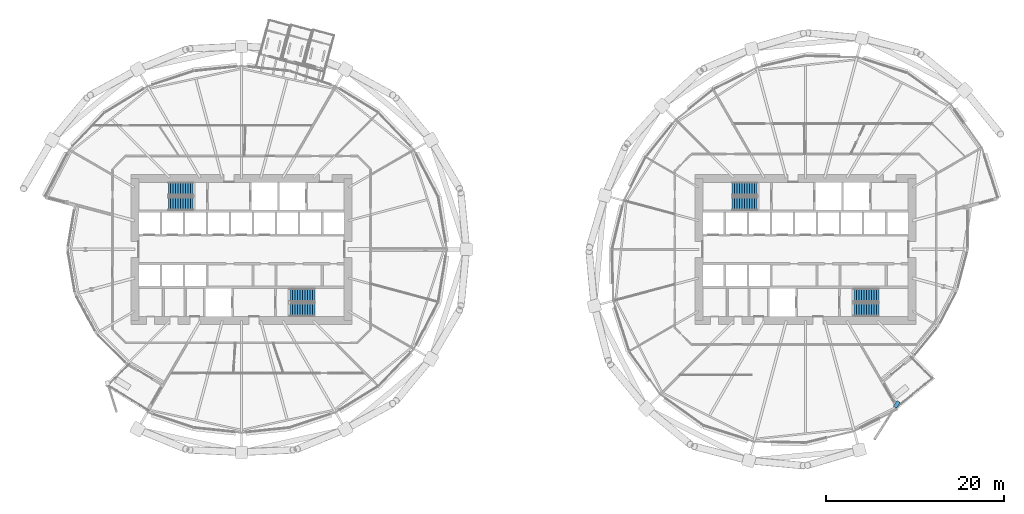
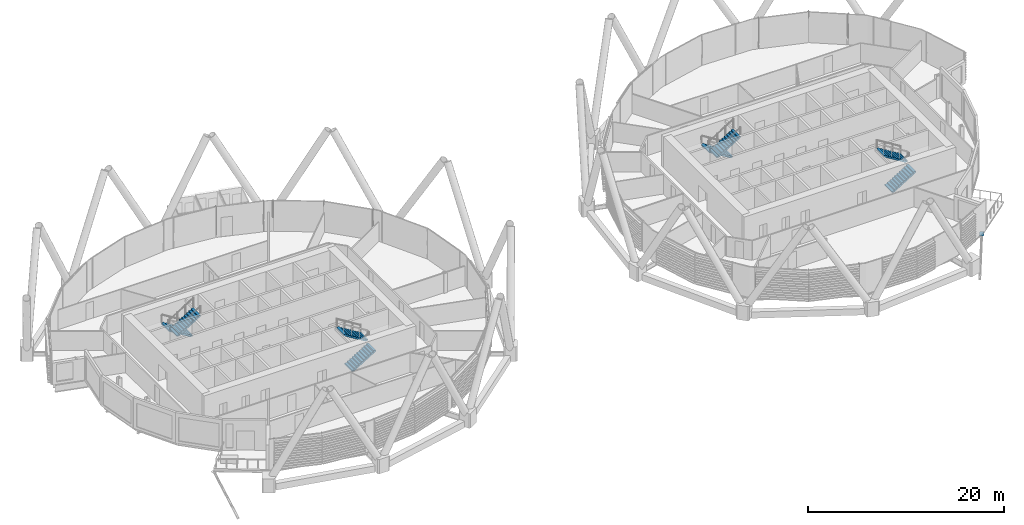
# One storey, part 31 of 40: 8 stair flights, 1 discrete accessory, 4 elements without a shape of their own.
"""IFC4 building model written with IfcOpenShell, lengths in metres."""

from ifc_helpers import new_model, si_unit, direction, frame, origin, origin_2d, place, context, subcontext, project, spatial, polyline, rectangle, outline, extrude, material, material_profile, profile_set, type_object, element, aggregate, save


model = new_model("IFC4")

# Units and contexts
model_context = context("Model", 3, precision=1e-05, world=origin(), true_north=direction((0.0, 1.0)))
body_context = subcontext(model_context, "Body", "Model", "MODEL_VIEW")
ifc_project = project(units=[si_unit("LENGTHUNIT", "METRE"), si_unit("AREAUNIT", "SQUARE_METRE"), si_unit("VOLUMEUNIT", "CUBIC_METRE"), si_unit("PLANEANGLEUNIT", "RADIAN"), si_unit("MASSUNIT", "GRAM", prefix="KILO")], contexts=[model_context])

# Site, building, storey
site_placement = place(None, origin())
site = spatial("IfcSite", under=ifc_project, at=site_placement, CompositionType="ELEMENT")
building_placement = place(site_placement, origin())
building = spatial("IfcBuilding", under=site, at=building_placement, Name="Rimbun Link Towers", CompositionType="ELEMENT")
storey_placement = place(building_placement, frame((0.0, 0.0, 52.800048828125)))
storey = spatial("IfcBuildingStorey", under=building, at=storey_placement, Name="L12", CompositionType="ELEMENT", Elevation=52.800048828125)

# Stair, stair flights
ifc_material_1 = material(Name="Concrete C40/50", Category="concrete")
stair_type = type_object("IfcStairType", Name="Exit stair 3800 rise", PredefinedType="HALF_TURN_STAIR", material=ifc_material_1)
stair_1_placement = place(storey_placement, origin())
stair_1 = element("IfcStair", 1, at=stair_1_placement, inside=storey, type_object=stair_type, Name="L12 EXIT STAIR A", PredefinedType="HALF_TURN_STAIR")
ifc_material_2 = material(Name="Concrete C40/50", Category="concrete")
stair_flight_type = type_object("IfcStairFlightType", Name="Exit stair flight 3800 rise", PredefinedType="STRAIGHT", material=ifc_material_2)
stair_flight_1_placement = place(storey_placement, frame((-37.199951171875, 6.800048828125, 0.0), z_axis=(0.0, 0.0, 1.0), x_axis=(-1.0, 0.0, 0.0)))
stair_flight_1 = element("IfcStairFlight", 2, at=stair_flight_1_placement, type_object=stair_flight_type, Name="ST1 flight 1", NumberOfRisers=11, NumberOfTreads=10, PredefinedType="STRAIGHT", RiserHeight=0.172727273, TreadLength=0.28, context=body_context, shape_type="SweptSolid", body=[
    extrude(outline(polyline([(0.0, 0.0), (0.0, 0.172607421875), (0.280029296875, 0.172607421875), (0.280029296875, 0.345458984375), (0.56005859375, 0.345458984375), (0.56005859375, 0.51806640625), (0.840087890625, 0.51806640625), (0.840087890625, 0.69091796875), (1.1201171875, 0.69091796875), (1.1201171875, 0.863525390625), (1.39990234375, 0.863525390625), (1.39990234375, 1.036376953125), (1.679931640625, 1.036376953125), (1.679931640625, 1.208984375), (1.9599609375, 1.208984375), (1.9599609375, 1.3818359375), (2.239990234375, 1.3818359375), (2.239990234375, 1.554443359375), (2.52001953125, 1.554443359375), (2.52001953125, 1.727294921875), (2.800048828125, 1.727294921875), (2.800048828125, 1.89990234375), (2.800048828125, 1.551025390625), (0.280029296875, 0.0), (0.0, 0.0)])), frame((0.0, 0.75, 0.0), z_axis=(0.0, -1.0, 0.0), x_axis=(1.0, 0.0, 0.0)), (0.0, 0.0, 1.0), 1.5),
])
stair_flight_2_placement = place(storey_placement, frame((-40.0, 5.14990234375, 1.89990234375), z_axis=(0.0, 0.0, 1.0), x_axis=(1.0, 0.0, 0.0)))
stair_flight_2 = element("IfcStairFlight", 3, at=stair_flight_2_placement, type_object=stair_flight_type, Name="ST1 flight 2", NumberOfRisers=11, NumberOfTreads=10, PredefinedType="STRAIGHT", RiserHeight=0.172727273, TreadLength=0.28, context=body_context, shape_type="SweptSolid", body=[
    extrude(outline(polyline([(0.0, 0.0), (0.0, 0.172607421875), (0.280029296875, 0.172607421875), (0.280029296875, 0.345458984375), (0.56005859375, 0.345458984375), (0.56005859375, 0.51806640625), (0.840087890625, 0.51806640625), (0.840087890625, 0.69091796875), (1.1201171875, 0.69091796875), (1.1201171875, 0.863525390625), (1.39990234375, 0.863525390625), (1.39990234375, 1.036376953125), (1.679931640625, 1.036376953125), (1.679931640625, 1.208984375), (1.9599609375, 1.208984375), (1.9599609375, 1.3818359375), (2.239990234375, 1.3818359375), (2.239990234375, 1.554443359375), (2.52001953125, 1.554443359375), (2.52001953125, 1.727294921875), (2.800048828125, 1.727294921875), (2.800048828125, 1.89990234375), (2.800048828125, 1.551025390625), (0.280029296875, 0.0), (0.0, 0.0)])), frame((0.0, 0.75, 0.0), z_axis=(0.0, -1.0, 0.0), x_axis=(1.0, 0.0, 0.0)), (0.0, 0.0, 1.0), 1.5),
])
aggregate(stair_1, [stair_flight_1, stair_flight_2])

stair_2_placement = place(storey_placement, origin())
stair_2 = element("IfcStair", 4, at=stair_2_placement, inside=storey, type_object=stair_type, Name="L12 EXIT STAIR B", PredefinedType="HALF_TURN_STAIR")
stair_flight_3_placement = place(storey_placement, frame((-26.300048828125, -6.800048828125, 0.0), z_axis=(0.0, 0.0, 1.0), x_axis=(1.0, 0.0, 0.0)))
stair_flight_3 = element("IfcStairFlight", 5, at=stair_flight_3_placement, type_object=stair_flight_type, Name="ST2 flight 1", NumberOfRisers=11, NumberOfTreads=10, PredefinedType="STRAIGHT", RiserHeight=0.172727273, TreadLength=0.28, context=body_context, shape_type="SweptSolid", body=[
    extrude(outline(polyline([(0.0, 0.0), (0.0, 0.172607421875), (0.280029296875, 0.172607421875), (0.280029296875, 0.345458984375), (0.56005859375, 0.345458984375), (0.56005859375, 0.51806640625), (0.840087890625, 0.51806640625), (0.840087890625, 0.69091796875), (1.1201171875, 0.69091796875), (1.1201171875, 0.863525390625), (1.39990234375, 0.863525390625), (1.39990234375, 1.036376953125), (1.679931640625, 1.036376953125), (1.679931640625, 1.208984375), (1.9599609375, 1.208984375), (1.9599609375, 1.3818359375), (2.239990234375, 1.3818359375), (2.239990234375, 1.554443359375), (2.52001953125, 1.554443359375), (2.52001953125, 1.727294921875), (2.800048828125, 1.727294921875), (2.800048828125, 1.89990234375), (2.800048828125, 1.551025390625), (0.280029296875, 0.0), (0.0, 0.0)])), frame((0.0, 0.75, 0.0), z_axis=(0.0, -1.0, 0.0), x_axis=(1.0, 0.0, 0.0)), (0.0, 0.0, 1.0), 1.5),
])
stair_flight_4_placement = place(storey_placement, frame((-23.5, -5.14990234375, 1.89990234375), z_axis=(0.0, 0.0, 1.0), x_axis=(-1.0, 0.0, 0.0)))
stair_flight_4 = element("IfcStairFlight", 6, at=stair_flight_4_placement, type_object=stair_flight_type, Name="ST2 flight 2", NumberOfRisers=11, NumberOfTreads=10, PredefinedType="STRAIGHT", RiserHeight=0.172727273, TreadLength=0.28, context=body_context, shape_type="SweptSolid", body=[
    extrude(outline(polyline([(0.0, 0.0), (0.0, 0.172607421875), (0.280029296875, 0.172607421875), (0.280029296875, 0.345458984375), (0.56005859375, 0.345458984375), (0.56005859375, 0.51806640625), (0.840087890625, 0.51806640625), (0.840087890625, 0.69091796875), (1.1201171875, 0.69091796875), (1.1201171875, 0.863525390625), (1.39990234375, 0.863525390625), (1.39990234375, 1.036376953125), (1.679931640625, 1.036376953125), (1.679931640625, 1.208984375), (1.9599609375, 1.208984375), (1.9599609375, 1.3818359375), (2.239990234375, 1.3818359375), (2.239990234375, 1.554443359375), (2.52001953125, 1.554443359375), (2.52001953125, 1.727294921875), (2.800048828125, 1.727294921875), (2.800048828125, 1.89990234375), (2.800048828125, 1.551025390625), (0.280029296875, 0.0), (0.0, 0.0)])), frame((0.0, 0.75, 0.0), z_axis=(0.0, -1.0, 0.0), x_axis=(1.0, 0.0, 0.0)), (0.0, 0.0, 1.0), 1.5),
])
aggregate(stair_2, [stair_flight_3, stair_flight_4])

stair_3_placement = place(storey_placement, origin())
stair_3 = element("IfcStair", 7, at=stair_3_placement, inside=storey, type_object=stair_type, Name="L12 EXIT STAIR A", PredefinedType="HALF_TURN_STAIR")
stair_flight_5_placement = place(storey_placement, frame((26.300048828125, 6.800048828125, 0.0), z_axis=(0.0, 0.0, 1.0), x_axis=(-1.0, 0.0, 0.0)))
stair_flight_5 = element("IfcStairFlight", 8, at=stair_flight_5_placement, type_object=stair_flight_type, Name="ST3 flight 1", NumberOfRisers=11, NumberOfTreads=10, PredefinedType="STRAIGHT", RiserHeight=0.172727273, TreadLength=0.28, context=body_context, shape_type="SweptSolid", body=[
    extrude(outline(polyline([(0.0, 0.0), (0.0, 0.172607421875), (0.280029296875, 0.172607421875), (0.280029296875, 0.345458984375), (0.56005859375, 0.345458984375), (0.56005859375, 0.51806640625), (0.840087890625, 0.51806640625), (0.840087890625, 0.69091796875), (1.1201171875, 0.69091796875), (1.1201171875, 0.863525390625), (1.39990234375, 0.863525390625), (1.39990234375, 1.036376953125), (1.679931640625, 1.036376953125), (1.679931640625, 1.208984375), (1.9599609375, 1.208984375), (1.9599609375, 1.3818359375), (2.239990234375, 1.3818359375), (2.239990234375, 1.554443359375), (2.52001953125, 1.554443359375), (2.52001953125, 1.727294921875), (2.800048828125, 1.727294921875), (2.800048828125, 1.89990234375), (2.800048828125, 1.551025390625), (0.280029296875, 0.0), (0.0, 0.0)])), frame((0.0, 0.75, 0.0), z_axis=(0.0, -1.0, 0.0), x_axis=(1.0, 0.0, 0.0)), (0.0, 0.0, 1.0), 1.5),
])
stair_flight_6_placement = place(storey_placement, frame((23.5, 5.14990234375, 1.89990234375), z_axis=(0.0, 0.0, 1.0), x_axis=(1.0, 0.0, 0.0)))
stair_flight_6 = element("IfcStairFlight", 9, at=stair_flight_6_placement, type_object=stair_flight_type, Name="ST3 flight 2", NumberOfRisers=11, NumberOfTreads=10, PredefinedType="STRAIGHT", RiserHeight=0.172727273, TreadLength=0.28, context=body_context, shape_type="SweptSolid", body=[
    extrude(outline(polyline([(0.0, 0.0), (0.0, 0.172607421875), (0.280029296875, 0.172607421875), (0.280029296875, 0.345458984375), (0.56005859375, 0.345458984375), (0.56005859375, 0.51806640625), (0.840087890625, 0.51806640625), (0.840087890625, 0.69091796875), (1.1201171875, 0.69091796875), (1.1201171875, 0.863525390625), (1.39990234375, 0.863525390625), (1.39990234375, 1.036376953125), (1.679931640625, 1.036376953125), (1.679931640625, 1.208984375), (1.9599609375, 1.208984375), (1.9599609375, 1.3818359375), (2.239990234375, 1.3818359375), (2.239990234375, 1.554443359375), (2.52001953125, 1.554443359375), (2.52001953125, 1.727294921875), (2.800048828125, 1.727294921875), (2.800048828125, 1.89990234375), (2.800048828125, 1.551025390625), (0.280029296875, 0.0), (0.0, 0.0)])), frame((0.0, 0.75, 0.0), z_axis=(0.0, -1.0, 0.0), x_axis=(1.0, 0.0, 0.0)), (0.0, 0.0, 1.0), 1.5),
])
aggregate(stair_3, [stair_flight_5, stair_flight_6])

stair_4_placement = place(storey_placement, origin())
stair_4 = element("IfcStair", 10, at=stair_4_placement, inside=storey, type_object=stair_type, Name="L12 EXIT STAIR B", PredefinedType="HALF_TURN_STAIR")
stair_flight_7_placement = place(storey_placement, frame((37.199951171875, -6.800048828125, 0.0), z_axis=(0.0, 0.0, 1.0), x_axis=(1.0, 0.0, 0.0)))
stair_flight_7 = element("IfcStairFlight", 11, at=stair_flight_7_placement, type_object=stair_flight_type, Name="ST4 flight 1", NumberOfRisers=11, NumberOfTreads=10, PredefinedType="STRAIGHT", RiserHeight=0.172727273, TreadLength=0.28, context=body_context, shape_type="SweptSolid", body=[
    extrude(outline(polyline([(0.0, 0.0), (0.0, 0.172607421875), (0.280029296875, 0.172607421875), (0.280029296875, 0.345458984375), (0.56005859375, 0.345458984375), (0.56005859375, 0.51806640625), (0.840087890625, 0.51806640625), (0.840087890625, 0.69091796875), (1.1201171875, 0.69091796875), (1.1201171875, 0.863525390625), (1.39990234375, 0.863525390625), (1.39990234375, 1.036376953125), (1.679931640625, 1.036376953125), (1.679931640625, 1.208984375), (1.9599609375, 1.208984375), (1.9599609375, 1.3818359375), (2.239990234375, 1.3818359375), (2.239990234375, 1.554443359375), (2.52001953125, 1.554443359375), (2.52001953125, 1.727294921875), (2.800048828125, 1.727294921875), (2.800048828125, 1.89990234375), (2.800048828125, 1.551025390625), (0.280029296875, 0.0), (0.0, 0.0)])), frame((0.0, 0.75, 0.0), z_axis=(0.0, -1.0, 0.0), x_axis=(1.0, 0.0, 0.0)), (0.0, 0.0, 1.0), 1.5),
])
stair_flight_8_placement = place(storey_placement, frame((40.0, -5.14990234375, 1.89990234375), z_axis=(0.0, 0.0, 1.0), x_axis=(-1.0, 0.0, 0.0)))
stair_flight_8 = element("IfcStairFlight", 12, at=stair_flight_8_placement, type_object=stair_flight_type, Name="ST4 flight 2", NumberOfRisers=11, NumberOfTreads=10, PredefinedType="STRAIGHT", RiserHeight=0.172727273, TreadLength=0.28, context=body_context, shape_type="SweptSolid", body=[
    extrude(outline(polyline([(0.0, 0.0), (0.0, 0.172607421875), (0.280029296875, 0.172607421875), (0.280029296875, 0.345458984375), (0.56005859375, 0.345458984375), (0.56005859375, 0.51806640625), (0.840087890625, 0.51806640625), (0.840087890625, 0.69091796875), (1.1201171875, 0.69091796875), (1.1201171875, 0.863525390625), (1.39990234375, 0.863525390625), (1.39990234375, 1.036376953125), (1.679931640625, 1.036376953125), (1.679931640625, 1.208984375), (1.9599609375, 1.208984375), (1.9599609375, 1.3818359375), (2.239990234375, 1.3818359375), (2.239990234375, 1.554443359375), (2.52001953125, 1.554443359375), (2.52001953125, 1.727294921875), (2.800048828125, 1.727294921875), (2.800048828125, 1.89990234375), (2.800048828125, 1.551025390625), (0.280029296875, 0.0), (0.0, 0.0)])), frame((0.0, 0.75, 0.0), z_axis=(0.0, -1.0, 0.0), x_axis=(1.0, 0.0, 0.0)), (0.0, 0.0, 1.0), 1.5),
])
aggregate(stair_4, [stair_flight_7, stair_flight_8])

# Discrete accessory
ifc_material_3 = material(Name="Steel S355J2H", Category="steel")
ifc_material_profile = material_profile(ifc_material_3, rectangle(XDim=0.43310546875, YDim=0.43310546875, at=origin_2d()), Name="PL 433x433")
ifc_profile_set = profile_set([ifc_material_profile], Name="Steel S355J2H")
discrete_accessory_type = type_object("IfcDiscreteAccessoryType", Name="Link head end plate 433X20", PredefinedType="BRACKET", material=ifc_profile_set)
discrete_accessory_placement = place(storey_placement, frame((0.0, 0.0, -0.78271484375)))
element("IfcDiscreteAccessory", 13, at=discrete_accessory_placement, inside=storey, type_object=discrete_accessory_type, Name="Link head end plate T2 L12 17", PredefinedType="BRACKET", context=body_context, shape_type="SweptSolid", body=[
    extrude(outline(polyline([(42.05078125, -17.018310546875), (41.644287109375, -17.65673828125), (42.009521484375, -17.88916015625), (42.416015625, -17.2509765625), (42.05078125, -17.018310546875)])), origin(), (0.0, 0.0, 1.0), 0.02001953125),
])

save(model, "model.ifc")
